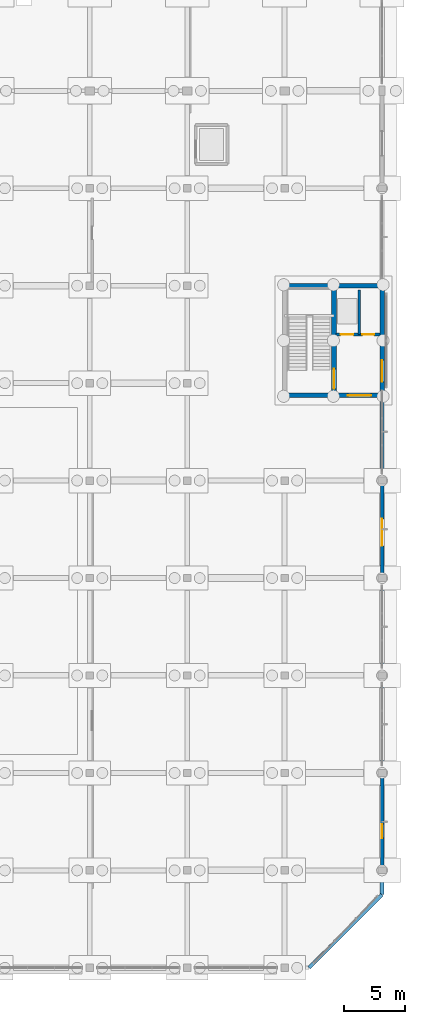
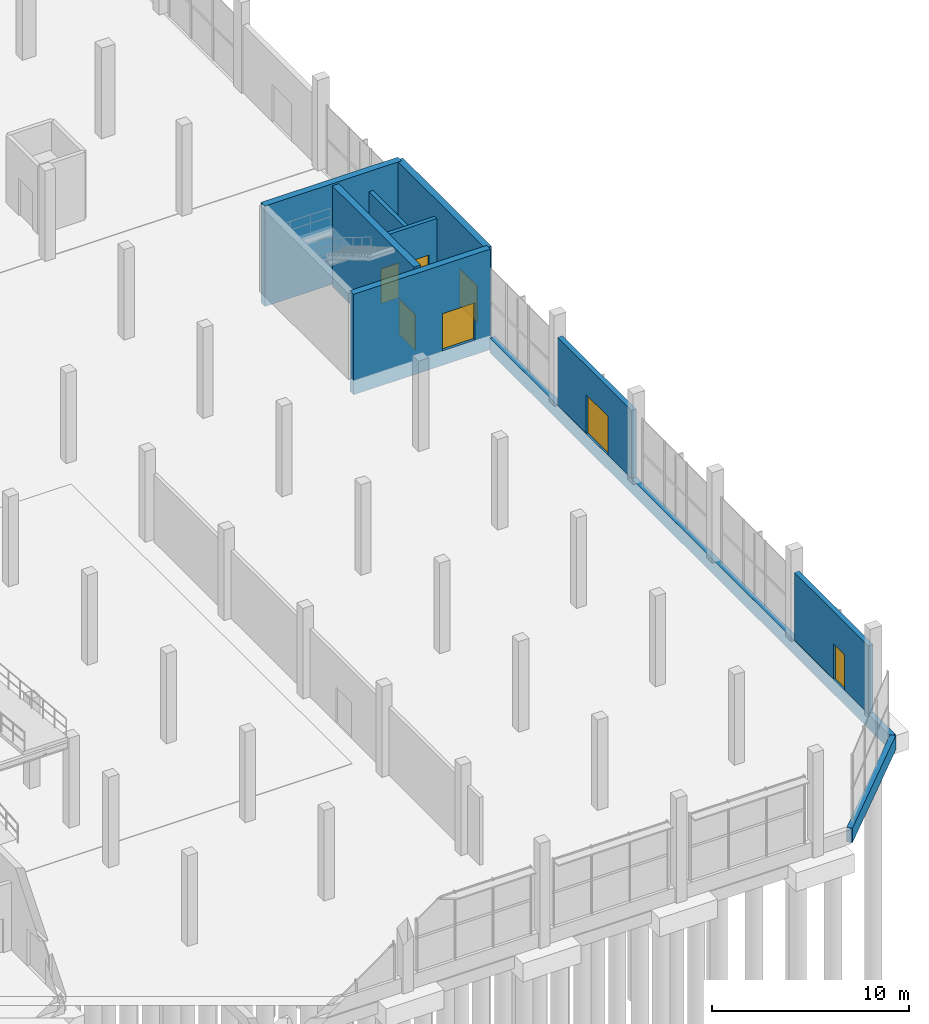
# One storey, part 79 of 98: 10 walls, 7 doors, 7 openings.
"""IFC4 building model written with IfcOpenShell, lengths in metres."""

from ifc_helpers import new_model, si_unit, derived_unit, direction, frame, frame_2d, origin, place, context, subcontext, project, spatial, rectangle, extrude, material, layer, layer_set, type_object, element, fill, save


model = new_model("IFC4")

# Units and contexts
model_context = context("Model", 3, precision=1e-05, world=origin(), true_north=direction((0.0, 1.0)))
body_context = subcontext(model_context, "Body", "Model", "MODEL_VIEW")
ifc_project = project(units=[si_unit("LENGTHUNIT", "METRE"), si_unit("AREAUNIT", "SQUARE_METRE"), si_unit("VOLUMEUNIT", "CUBIC_METRE"), si_unit("PLANEANGLEUNIT", "RADIAN"), si_unit("MASSUNIT", "GRAM", prefix="KILO"), si_unit("THERMODYNAMICTEMPERATUREUNIT", "KELVIN"), derived_unit("THERMALTRANSMITTANCEUNIT", [(si_unit("POWERUNIT", "WATT"), 1), (si_unit("AREAUNIT", "SQUARE_METRE"), -1), (si_unit("THERMODYNAMICTEMPERATUREUNIT", "KELVIN"), -1)])], contexts=[model_context])

# Site, building, storey
site_placement = place(None, origin())
site = spatial("IfcSite", under=ifc_project, at=site_placement, CompositionType="ELEMENT")
building_placement = place(site_placement, origin())
building = spatial("IfcBuilding", under=site, at=building_placement, Name="Haiyu Intermodal Mobility Hub", CompositionType="ELEMENT")
storey_placement = place(building_placement, origin())
storey = spatial("IfcBuildingStorey", under=building, at=storey_placement, Name="L00", CompositionType="ELEMENT", Elevation=0.0)

# Walls
ifc_material_1 = material(Name="Precast concrete C40", Category="concrete")
ifc_layer_1 = layer(ifc_material_1, 0.300048828125)
ifc_layer_set_1 = layer_set([ifc_layer_1], Name="Precast concrete C40")
wall_type_1 = type_object("IfcWallType", Name="WAL-WE01", PredefinedType="STANDARD", material=ifc_layer_set_1)
wall_1_placement = place(storey_placement, frame((204.0, 16.0, -0.89990234375), z_axis=(0.0, 0.0, 1.0), x_axis=(0.707106781187, 0.707106781187, 0.0)))
element("IfcWall", 1, at=wall_1_placement, inside=storey, type_object=wall_type_1, Name="Flood Plinth Retaining Wall PLN-SCH", PredefinedType="STANDARD", context=body_context, shape_type="SweptSolid", body=[
    extrude(rectangle(XDim=8.4853515625, YDim=0.300048828125, at=frame_2d((4.24267578125, 0.0))), origin(), (0.0, 0.0, 1.0), 0.89990234375),
])
wall_2_placement = place(storey_placement, frame((210.0, 22.0, -0.89990234375), z_axis=(0.0, 0.0, 1.0), x_axis=(0.0, 1.0, 0.0)))
element("IfcWall", 2, at=wall_2_placement, inside=storey, type_object=wall_type_1, Name="Flood Plinth Retaining Wall PLN-E1A", PredefinedType="STANDARD", context=body_context, shape_type="SweptSolid", body=[
    extrude(rectangle(XDim=40.60009765625, YDim=0.300048828125, at=frame_2d((20.300048828125, 0.0))), origin(), (0.0, 0.0, 1.0), 0.89990234375),
])

# Wall, opening, door
ifc_material_2 = material(Name="Anodised aluminium 6063-T6", Category="aluminium")
ifc_layer_2 = layer(ifc_material_2, 0.280029296875)
ifc_layer_set_2 = layer_set([ifc_layer_2], Name="Anodised aluminium 6063-T6")
wall_type_2 = type_object("IfcWallType", Name="WAL-WE02", PredefinedType="STANDARD", material=ifc_layer_set_2)
wall_3_placement = place(storey_placement, frame((210.0, 24.2548828125, 0.0), z_axis=(0.0, 0.0, 1.0), x_axis=(0.0, 1.0, 0.0)))
wall_3 = element("IfcWall", 3, at=wall_3_placement, inside=storey, type_object=wall_type_2, Name="WAL-V5E-151", PredefinedType="STANDARD", context=body_context, shape_type="SweptSolid", body=[
    extrude(rectangle(XDim=7.490234375, YDim=0.280029296875, at=frame_2d((3.7451171875, 0.0))), origin(), (0.0, 0.0, 1.0), 4.199951171875),
])
opening_1_placement = place(wall_3_placement, frame((2.39501953125, 0.0, 0.0)))
opening_1 = element("IfcOpeningElement", 4, at=opening_1_placement, cuts=wall_3, Name="Opening DE05", PredefinedType="OPENING", context=body_context, shape_type="SweptSolid", body=[
    extrude(rectangle(XDim=1.14990234375, YDim=2.199951171875, at=frame_2d((0.574951171875, 1.10009765625))), frame((0.0, 0.14990234375, 0.0), z_axis=(0.0, -1.0, 0.0), x_axis=(1.0, 0.0, 0.0)), (0.0, 0.0, 1.0), 0.300048828125),
])
ifc_material_3 = material(Name="Steel Q355C", Category="steel")
door_type_1 = type_object("IfcDoorType", Name="DR-DE05", OperationType="NOTDEFINED", PredefinedType="DOOR", material=ifc_material_3)
door_1_placement = place(opening_1_placement, origin())
door_1 = element("IfcDoor", 5, at=door_1_placement, inside=storey, type_object=door_type_1, Name="WAL-V5E-151-DR01", OperationType="DOUBLE_SWING_LEFT", OverallHeight=2.199951171875, OverallWidth=1.14990234375, PredefinedType="DOOR", context=body_context, shape_type="SweptSolid", body=[
    extrude(rectangle(XDim=1.14990234375, YDim=2.199951171875, at=frame_2d((0.574951171875, 1.10009765625))), frame((0.0, 0.02490234375, 0.0), z_axis=(0.0, -1.0, 0.0), x_axis=(1.0, 0.0, 0.0)), (0.0, 0.0, 1.0), 0.050048828125),
])
fill(opening_1, door_1)

wall_4_placement = place(storey_placement, frame((210.0, 48.2548828125, 0.0), z_axis=(0.0, 0.0, 1.0), x_axis=(0.0, 1.0, 0.0)))
wall_4 = element("IfcWall", 6, at=wall_4_placement, inside=storey, type_object=wall_type_2, Name="WAL-V5E-152", PredefinedType="STANDARD", context=body_context, shape_type="SweptSolid", body=[
    extrude(rectangle(XDim=7.490234375, YDim=0.280029296875, at=frame_2d((3.7451171875, 0.0))), origin(), (0.0, 0.0, 1.0), 4.199951171875),
])
opening_2_placement = place(wall_4_placement, frame((2.39501953125, 0.0, 0.0)))
opening_2 = element("IfcOpeningElement", 7, at=opening_2_placement, cuts=wall_4, Name="Opening DE02", PredefinedType="OPENING", context=body_context, shape_type="SweptSolid", body=[
    extrude(rectangle(XDim=2.199951171875, YDim=2.39990234375, at=frame_2d((1.10009765625, 1.199951171875))), frame((0.0, 0.14990234375, 0.0), z_axis=(0.0, -1.0, 0.0), x_axis=(1.0, 0.0, 0.0)), (0.0, 0.0, 1.0), 0.300048828125),
])
door_type_2 = type_object("IfcDoorType", Name="DR-DE02", OperationType="DOUBLE_DOOR_SLIDING", PredefinedType="DOOR", material=ifc_material_2)
door_2_placement = place(opening_2_placement, origin())
door_2 = element("IfcDoor", 8, at=door_2_placement, inside=storey, type_object=door_type_2, Name="WAL-V5E-152-DR01", OperationType="DOUBLE_SWING_LEFT", OverallHeight=2.39990234375, OverallWidth=2.199951171875, PredefinedType="DOOR", context=body_context, shape_type="SweptSolid", body=[
    extrude(rectangle(XDim=2.199951171875, YDim=2.39990234375, at=frame_2d((1.10009765625, 1.199951171875))), frame((0.0, 0.02490234375, 0.0), z_axis=(0.0, -1.0, 0.0), x_axis=(1.0, 0.0, 0.0)), (0.0, 0.0, 1.0), 0.050048828125),
])
fill(opening_2, door_2)

# Wall
ifc_material_4 = material(Name="Autoclaved aerated concrete block A5.0", Category="concrete")
ifc_layer_3 = layer(ifc_material_4, 0.22998046875)
ifc_layer_set_3 = layer_set([ifc_layer_3], Name="Autoclaved aerated concrete block A5.0")
wall_type_3 = type_object("IfcWallType", Name="WAL-WI01", PredefinedType="PARTITIONING", material=ifc_layer_set_3)
wall_5_placement = place(storey_placement, frame((208.1298828125, 68.0, 0.0), z_axis=(0.0, 0.0, 1.0), x_axis=(0.0, 1.0, 0.0)))
element("IfcWall", 9, at=wall_5_placement, inside=storey, type_object=wall_type_3, Name="WAL-CORE-C9-LSH-L00", PredefinedType="PARTITIONING", context=body_context, shape_type="SweptSolid", body=[
    extrude(rectangle(XDim=3.64990234375, YDim=0.22998046875, at=frame_2d((1.824951171875, 0.0))), origin(), (0.0, 0.0, 1.0), 4.199951171875),
])

# Wall, openings, doors
wall_6_placement = place(storey_placement, frame((206.2099609375, 68.0, 0.0), z_axis=(0.0, 0.0, 1.0), x_axis=(1.0, 0.0, 0.0)))
wall_6 = element("IfcWall", 10, at=wall_6_placement, inside=storey, type_object=wall_type_3, Name="WAL-CORE-C9-LFT-L00", PredefinedType="PARTITIONING", context=body_context, shape_type="SweptSolid", body=[
    extrude(rectangle(XDim=3.630126953125, YDim=0.22998046875, at=frame_2d((1.81494140625, 0.0))), origin(), (0.0, 0.0, 1.0), 4.199951171875),
])
opening_3_placement = place(wall_6_placement, frame((0.3798828125, 0.0, 0.0)))
opening_3 = element("IfcOpeningElement", 11, at=opening_3_placement, cuts=wall_6, Name="Opening LD02", PredefinedType="OPENING", context=body_context, shape_type="SweptSolid", body=[
    extrude(rectangle(XDim=1.050048828125, YDim=2.14990234375, at=frame_2d((0.52490234375, 1.074951171875))), frame((0.0, 0.125, 0.0), z_axis=(0.0, -1.0, 0.0), x_axis=(1.0, 0.0, 0.0)), (0.0, 0.0, 1.0), 0.25),
])
opening_4_placement = place(wall_6_placement, frame((2.179931640625, 0.0, 0.0)))
opening_4 = element("IfcOpeningElement", 12, at=opening_4_placement, cuts=wall_6, Name="Opening DI07", PredefinedType="OPENING", context=body_context, shape_type="SweptSolid", body=[
    extrude(rectangle(XDim=0.949951171875, YDim=2.10009765625, at=frame_2d((0.47509765625, 1.050048828125))), frame((0.0, 0.125, 0.0), z_axis=(0.0, -1.0, 0.0), x_axis=(1.0, 0.0, 0.0)), (0.0, 0.0, 1.0), 0.25),
])
door_type_3 = type_object("IfcDoorType", Name="DR-DI07", OperationType="NOTDEFINED", PredefinedType="DOOR", material=ifc_material_3)
door_3_placement = place(opening_4_placement, origin())
door_3 = element("IfcDoor", 13, at=door_3_placement, inside=storey, type_object=door_type_3, Name="Core C9 Accessible WC Door L00", OperationType="SINGLE_SWING_RIGHT", OverallHeight=2.10009765625, OverallWidth=0.949951171875, PredefinedType="DOOR", context=body_context, shape_type="SweptSolid", body=[
    extrude(rectangle(XDim=0.949951171875, YDim=2.10009765625, at=frame_2d((0.47509765625, 1.050048828125))), frame((0.0, 0.02490234375, 0.0), z_axis=(0.0, -1.0, 0.0), x_axis=(1.0, 0.0, 0.0)), (0.0, 0.0, 1.0), 0.050048828125),
])
fill(opening_4, door_3)
door_type_4 = type_object("IfcDoorType", Name="DR-LD02", OperationType="DOUBLE_DOOR_SLIDING", PredefinedType="DOOR", material=ifc_material_3)
door_4_placement = place(opening_3_placement, origin())
door_4 = element("IfcDoor", 14, at=door_4_placement, inside=storey, type_object=door_type_4, Name="Lift PL-04 Sliding Landing Door L00", OperationType="SLIDING_TO_LEFT", OverallHeight=2.14990234375, OverallWidth=1.050048828125, PredefinedType="DOOR", context=body_context, shape_type="SweptSolid", body=[
    extrude(rectangle(XDim=1.050048828125, YDim=2.14990234375, at=frame_2d((0.52490234375, 1.074951171875))), frame((0.0, 0.02490234375, 0.0), z_axis=(0.0, -1.0, 0.0), x_axis=(1.0, 0.0, 0.0)), (0.0, 0.0, 1.0), 0.050048828125),
])
fill(opening_3, door_4)

# Wall, opening, door
ifc_material_5 = material(Name="Concrete C40", Category="concrete")
ifc_layer_4 = layer(ifc_material_5, 0.3798828125)
ifc_layer_set_4 = layer_set([ifc_layer_4], Name="Concrete C40")
wall_type_4 = type_object("IfcWallType", Name="WAL-WS03", PredefinedType="SHEAR", material=ifc_layer_set_4)
wall_7_placement = place(storey_placement, frame((202.0, 63.0, -0.89990234375), z_axis=(0.0, 0.0, 1.0), x_axis=(1.0, 0.0, 0.0)))
wall_7 = element("IfcWall", 15, at=wall_7_placement, inside=storey, type_object=wall_type_4, Name="WAL-CORE-C9-S-L00", PredefinedType="SHEAR", context=body_context, shape_type="SweptSolid", body=[
    extrude(rectangle(XDim=8.0, YDim=0.3798828125, at=frame_2d((4.0, 0.0))), origin(), (0.0, 0.0, 1.0), 6.219970703125),
])
opening_5_placement = place(wall_7_placement, frame((5.199951171875, 0.0, 0.89990234375)))
opening_5 = element("IfcOpeningElement", 16, at=opening_5_placement, cuts=wall_7, Name="Opening DI01", PredefinedType="OPENING", context=body_context, shape_type="SweptSolid", body=[
    extrude(rectangle(XDim=1.89990234375, YDim=2.300048828125, at=frame_2d((0.949951171875, 1.14990234375))), frame((0.0, 0.199951171875, 0.0), z_axis=(0.0, -1.0, 0.0), x_axis=(1.0, 0.0, 0.0)), (0.0, 0.0, 1.0), 0.39990234375),
])
door_type_5 = type_object("IfcDoorType", Name="DR-DI01", OperationType="DOUBLE_DOOR_SINGLE_SWING", PredefinedType="DOOR", material=ifc_material_3)
door_5_placement = place(opening_5_placement, origin())
door_5 = element("IfcDoor", 17, at=door_5_placement, inside=storey, type_object=door_type_5, Name="Core C9 Lobby Fire Door L00", OperationType="SINGLE_SWING_LEFT", OverallHeight=2.300048828125, OverallWidth=1.89990234375, PredefinedType="DOOR", context=body_context, shape_type="SweptSolid", body=[
    extrude(rectangle(XDim=1.89990234375, YDim=2.300048828125, at=frame_2d((0.949951171875, 1.14990234375))), frame((0.0, 0.02490234375, 0.0), z_axis=(0.0, -1.0, 0.0), x_axis=(1.0, 0.0, 0.0)), (0.0, 0.0, 1.0), 0.050048828125),
])
fill(opening_5, door_5)

wall_8_placement = place(storey_placement, frame((210.0, 63.0, -0.89990234375), z_axis=(0.0, 0.0, 1.0), x_axis=(0.0, 1.0, 0.0)))
wall_8 = element("IfcWall", 18, at=wall_8_placement, inside=storey, type_object=wall_type_4, Name="WAL-CORE-C9-E-L00", PredefinedType="SHEAR", context=body_context, shape_type="SweptSolid", body=[
    extrude(rectangle(XDim=9.0, YDim=0.3798828125, at=frame_2d((4.5, 0.0))), origin(), (0.0, 0.0, 1.0), 6.219970703125),
])
opening_6_placement = place(wall_8_placement, frame((1.10009765625, 0.0, 0.89990234375)))
opening_6 = element("IfcOpeningElement", 19, at=opening_6_placement, cuts=wall_8, Name="Opening DE04", PredefinedType="OPENING", context=body_context, shape_type="SweptSolid", body=[
    extrude(rectangle(XDim=1.800048828125, YDim=2.25, at=frame_2d((0.89990234375, 1.125))), frame((0.0, 0.199951171875, 0.0), z_axis=(0.0, -1.0, 0.0), x_axis=(1.0, 0.0, 0.0)), (0.0, 0.0, 1.0), 0.39990234375),
])
door_type_6 = type_object("IfcDoorType", Name="DR-DE04", OperationType="DOUBLE_DOOR_SINGLE_SWING", PredefinedType="DOOR", material=ifc_material_3)
door_6_placement = place(opening_6_placement, origin())
door_6 = element("IfcDoor", 20, at=door_6_placement, inside=storey, type_object=door_type_6, Name="Core C9 Final Exterior Exit Door L00", OperationType="DOUBLE_SWING_LEFT", OverallHeight=2.25, OverallWidth=1.800048828125, PredefinedType="DOOR", context=body_context, shape_type="SweptSolid", body=[
    extrude(rectangle(XDim=1.800048828125, YDim=2.25, at=frame_2d((0.89990234375, 1.125))), frame((0.0, 0.02490234375, 0.0), z_axis=(0.0, -1.0, 0.0), x_axis=(1.0, 0.0, 0.0)), (0.0, 0.0, 1.0), 0.050048828125),
])
fill(opening_6, door_6)

# Wall
wall_9_placement = place(storey_placement, frame((210.0, 72.0, -0.89990234375), z_axis=(0.0, 0.0, 1.0), x_axis=(-1.0, 0.0, 0.0)))
element("IfcWall", 21, at=wall_9_placement, inside=storey, type_object=wall_type_4, Name="WAL-CORE-C9-N-L00", PredefinedType="SHEAR", context=body_context, shape_type="SweptSolid", body=[
    extrude(rectangle(XDim=8.0, YDim=0.3798828125, at=frame_2d((4.0, 0.0))), origin(), (0.0, 0.0, 1.0), 6.219970703125),
])

# Wall, opening, door
wall_10_placement = place(storey_placement, frame((206.050048828125, 63.35009765625, -0.89990234375), z_axis=(0.0, 0.0, 1.0), x_axis=(0.0, 1.0, 0.0)))
wall_10 = element("IfcWall", 22, at=wall_10_placement, inside=storey, type_object=wall_type_4, Name="WAL-CORE-C9-MID-L00", PredefinedType="SHEAR", context=body_context, shape_type="SweptSolid", body=[
    extrude(rectangle(XDim=8.2998046875, YDim=0.3798828125, at=frame_2d((4.14990234375, 0.0))), origin(), (0.0, 0.0, 1.0), 6.219970703125),
])
opening_7_placement = place(wall_10_placement, frame((0.179931640625, 0.0, 0.89990234375)))
opening_7 = element("IfcOpeningElement", 23, at=opening_7_placement, cuts=wall_10, Name="Opening DI02", PredefinedType="OPENING", context=body_context, shape_type="SweptSolid", body=[
    extrude(rectangle(XDim=1.64990234375, YDim=2.199951171875, at=frame_2d((0.824951171875, 1.10009765625))), frame((0.0, 0.199951171875, 0.0), z_axis=(0.0, -1.0, 0.0), x_axis=(1.0, 0.0, 0.0)), (0.0, 0.0, 1.0), 0.39990234375),
])
door_type_7 = type_object("IfcDoorType", Name="DR-DI02", OperationType="DOUBLE_DOOR_SINGLE_SWING", PredefinedType="DOOR", material=ifc_material_3)
door_7_placement = place(opening_7_placement, origin())
door_7 = element("IfcDoor", 24, at=door_7_placement, inside=storey, type_object=door_type_7, Name="Stair ST03 Fire Door L00", OperationType="SINGLE_SWING_LEFT", OverallHeight=2.199951171875, OverallWidth=1.64990234375, PredefinedType="DOOR", context=body_context, shape_type="SweptSolid", body=[
    extrude(rectangle(XDim=1.64990234375, YDim=2.199951171875, at=frame_2d((0.824951171875, 1.10009765625))), frame((0.0, 0.02490234375, 0.0), z_axis=(0.0, -1.0, 0.0), x_axis=(1.0, 0.0, 0.0)), (0.0, 0.0, 1.0), 0.050048828125),
])
fill(opening_7, door_7)

save(model, "model.ifc")
